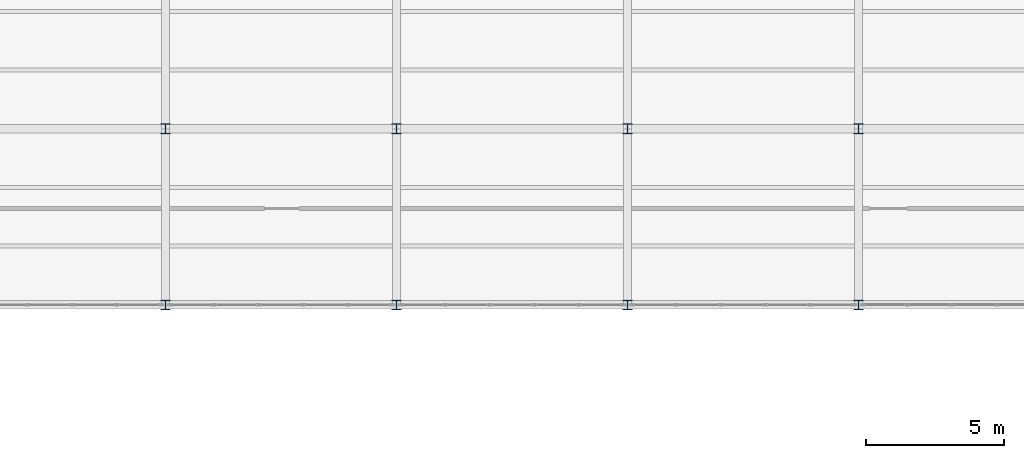
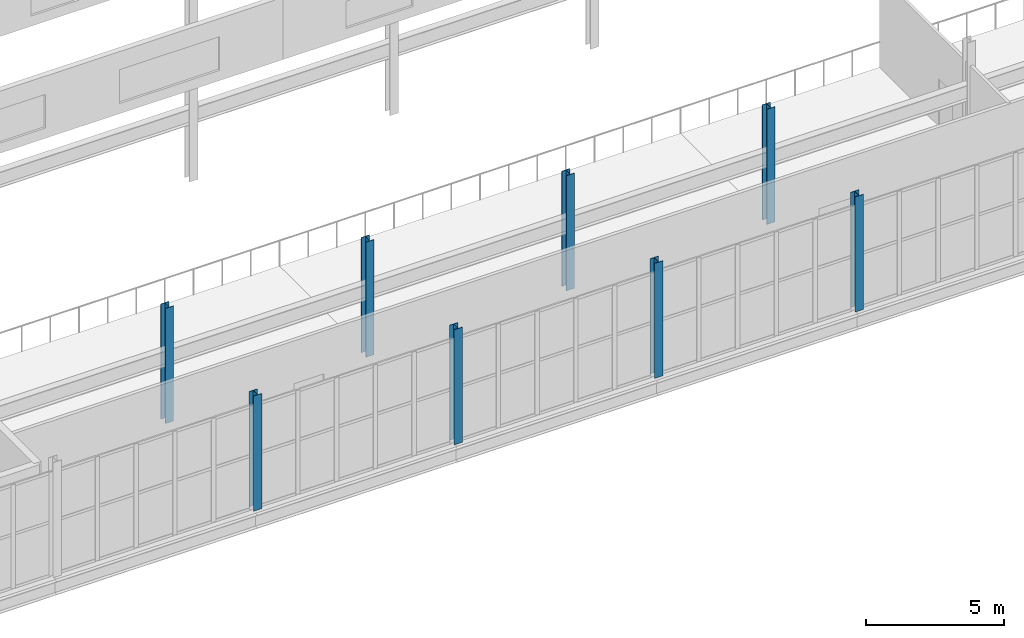
# One storey, part 5 of 218: 8 columns.
"""IFC4 building model written with IfcOpenShell, lengths in metres."""

from ifc_helpers import new_model, si_unit, direction, frame, origin, origin_2d, place, context, subcontext, project, spatial, i_section, extrude, material, material_profile, profile_set, type_object, element, save


model = new_model("IFC4")

# Units and contexts
model_context = context("Model", 3, precision=1e-05, world=origin(), true_north=direction((0.0, 1.0)))
body_context = subcontext(model_context, "Body", "Model", "MODEL_VIEW")
ifc_project = project(units=[si_unit("LENGTHUNIT", "METRE"), si_unit("AREAUNIT", "SQUARE_METRE"), si_unit("VOLUMEUNIT", "CUBIC_METRE"), si_unit("PLANEANGLEUNIT", "RADIAN"), si_unit("MASSUNIT", "GRAM", prefix="KILO")], contexts=[model_context])

# Site, building, storey
site_placement = place(None, origin())
site = spatial("IfcSite", under=ifc_project, at=site_placement, CompositionType="ELEMENT")
building_placement = place(site_placement, origin())
building = spatial("IfcBuilding", under=site, at=building_placement, Name="Kazenagashi Tramway Depot", CompositionType="ELEMENT")
storey_placement = place(building_placement, frame((0.0, 0.0, 6.0)))
storey = spatial("IfcBuildingStorey", under=building, at=storey_placement, Name="L02", CompositionType="ELEMENT", Elevation=6.0)

# Columns
ifc_material = material(Name="Steel SN490B", Category="steel")
ifc_material_profile = material_profile(ifc_material, i_section(OverallWidth=0.35, OverallDepth=0.35, WebThickness=0.012, FlangeThickness=0.019, at=origin_2d()), Name="H-350x350x12x19")
ifc_profile_set = profile_set([ifc_material_profile], Name="Steel SN490B")
column_type = type_object("IfcColumnType", Name="C-04", PredefinedType="COLUMN", material=ifc_profile_set)
for number, where, z_axis, x_axis, name in (
    (1, (70.0, 16.5, 0.0), (0.0, 0.0, 1.0), (1.0, 0.0, 0.0), "Column C-04 COL-0196"),
    (2, (70.0, 22.9, 0.0), (0.0, 0.0, 1.0), (1.0, 0.0, 0.0), "Column C-04 COL-0200"),
    (3, (78.4, 16.5, 0.0), (0.0, 0.0, 1.0), (1.0, 0.0, 0.0), "Column C-04 COL-0213"),
    (4, (78.4, 22.9, 0.0), (0.0, 0.0, 1.0), (1.0, 0.0, 0.0), "Column C-04 COL-0217"),
    (5, (86.8, 16.5, 0.0), (0.0, 0.0, 1.0), (1.0, 0.0, 0.0), "Column C-04 COL-0230"),
    (6, (86.8, 22.9, 0.0), (0.0, 0.0, 1.0), (1.0, 0.0, 0.0), "Column C-04 COL-0234"),
    (7, (95.2, 16.5, 0.0), (0.0, 0.0, 1.0), (1.0, 0.0, 0.0), "Column C-04 COL-0247"),
    (8, (95.2, 22.9, 0.0), (0.0, 0.0, 1.0), (1.0, 0.0, 0.0), "Column C-04 COL-0251"),
):
    element("IfcColumn", number, at=place(storey_placement, frame(where, z_axis=z_axis, x_axis=x_axis)), inside=storey, type_object=column_type, Name=name, PredefinedType="COLUMN", context=body_context, shape_type="SweptSolid", body=[
        extrude(i_section(OverallWidth=0.35, OverallDepth=0.35, WebThickness=0.012, FlangeThickness=0.019, at=origin_2d()), origin(), (0.0, 0.0, 1.0), 5.1),
    ])

save(model, "model.ifc")
